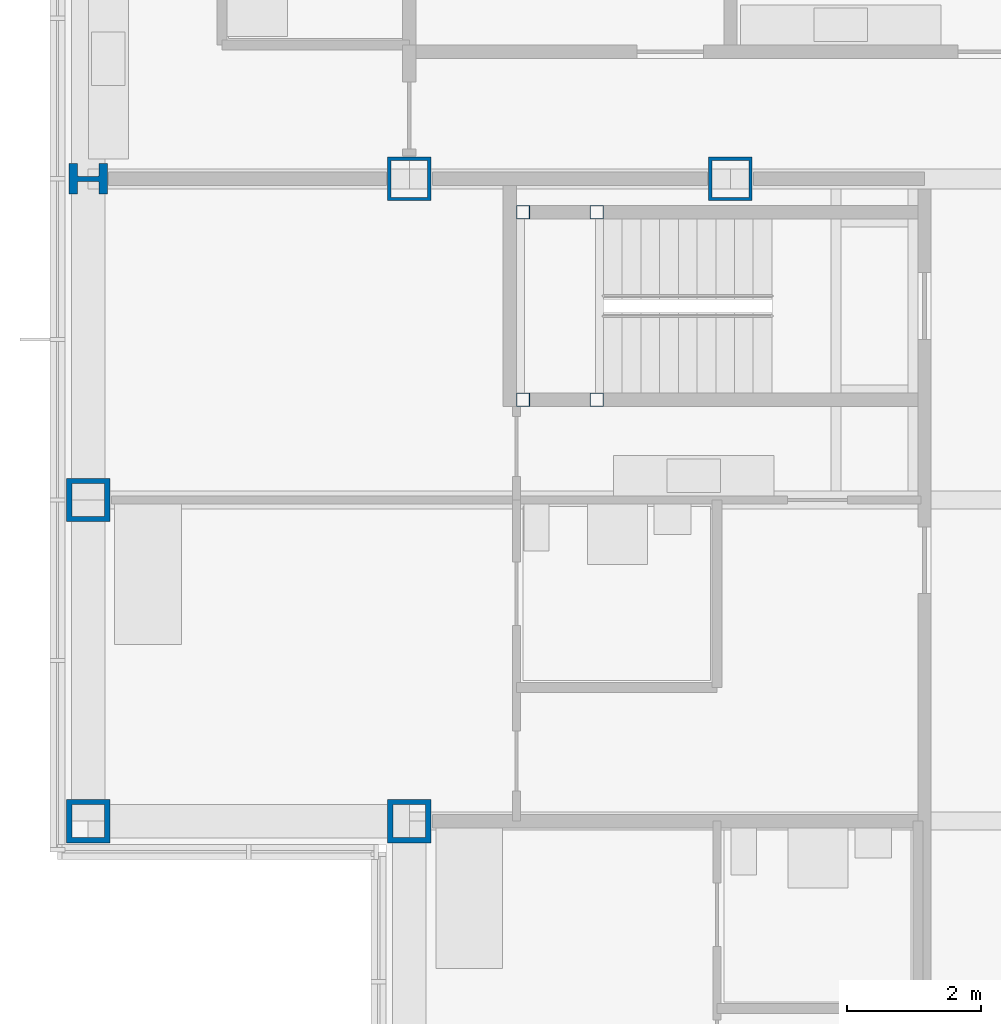
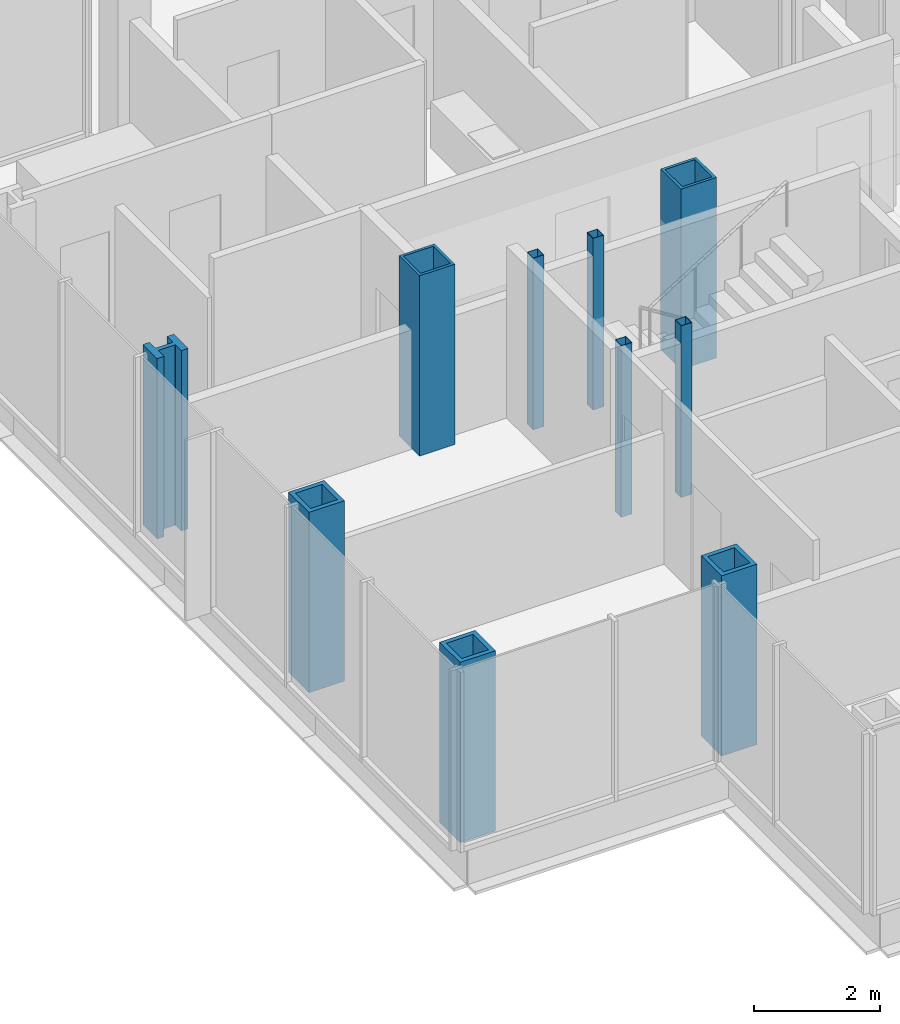
# One storey, part 3 of 20: 10 columns.
"""IFC4 building model written with IfcOpenShell, lengths in metres."""

from ifc_helpers import new_model, si_unit, direction, frame, origin, origin_2d, place, context, subcontext, project, spatial, hollow_rectangle, i_section, extrude, material, material_profile, profile_set, type_object, element, save


model = new_model("IFC4")

# Units and contexts
model_context = context("Model", 3, precision=1e-05, world=origin(), true_north=direction((0.0, 1.0)))
body_context = subcontext(model_context, "Body", "Model", "MODEL_VIEW")
ifc_project = project(units=[si_unit("LENGTHUNIT", "METRE"), si_unit("AREAUNIT", "SQUARE_METRE"), si_unit("VOLUMEUNIT", "CUBIC_METRE"), si_unit("PLANEANGLEUNIT", "RADIAN"), si_unit("MASSUNIT", "GRAM", prefix="KILO")], contexts=[model_context])

# Site, building, storey
site_placement = place(None, origin())
site = spatial("IfcSite", under=ifc_project, at=site_placement, CompositionType="ELEMENT")
building_placement = place(site_placement, origin())
building = spatial("IfcBuilding", under=site, at=building_placement, Name="Kvirike Care Tower", CompositionType="ELEMENT")
storey_placement = place(building_placement, frame((0.0, 0.0, 105.0)))
storey = spatial("IfcBuildingStorey", under=building, at=storey_placement, Name="L28", CompositionType="ELEMENT", Elevation=105.0)

# Columns
ifc_material_1 = material(Name="Steel S460", Category="steel")
ifc_material_profile_1 = material_profile(ifc_material_1, hollow_rectangle(XDim=0.64990234375, YDim=0.64990234375, WallThickness=0.050048828125, at=origin_2d()), Name="BX 650x650x50")
ifc_profile_set_1 = profile_set([ifc_material_profile_1], Name="Steel S460")
column_type_1 = type_object("IfcColumnType", Name="COLUMN BX 650x650x50", PredefinedType="COLUMN", material=ifc_profile_set_1)
for number, where, z_axis, x_axis, name in (
    (1, (4.800048828125, 43.199951171875, 0.0), (0.0, 0.0, 1.0), (0.0, 1.0, 0.0), "Column K4 L28"),
    (2, (9.60009765625, 43.199951171875, 0.0), (0.0, 0.0, 1.0), (0.0, 1.0, 0.0), "Column K5 L28"),
):
    element("IfcColumn", number, at=place(storey_placement, frame(where, z_axis=z_axis, x_axis=x_axis)), inside=storey, type_object=column_type_1, Name=name, PredefinedType="COLUMN", context=body_context, shape_type="SweptSolid", body=[
        extrude(hollow_rectangle(XDim=0.64990234375, YDim=0.64990234375, WallThickness=0.050048828125, at=origin_2d()), origin(), (0.0, 0.0, 1.0), 3.5),
    ])
ifc_material_2 = material(Name="Steel S460", Category="steel")
ifc_material_profile_2 = material_profile(ifc_material_2, hollow_rectangle(XDim=0.64990234375, YDim=0.64990234375, WallThickness=0.080078125, at=origin_2d()), Name="BX 650x650x80")
ifc_profile_set_2 = profile_set([ifc_material_profile_2], Name="Steel S460")
column_type_2 = type_object("IfcColumnType", Name="COLUMN BX 650x650x80", PredefinedType="COLUMN", material=ifc_profile_set_2)
for number, where, z_axis, x_axis, name in (
    (3, (0.0, 33.60009765625, 0.0), (0.0, 0.0, 1.0), (0.0, 1.0, 0.0), "Column H3 L28"),
    (4, (0.0, 38.39990234375, 0.0), (0.0, 0.0, 1.0), (1.0, 0.0, 0.0), "Column J3 L28"),
    (5, (4.800048828125, 33.60009765625, 0.0), (0.0, 0.0, 1.0), (0.0, 1.0, 0.0), "Column H4 L28"),
):
    element("IfcColumn", number, at=place(storey_placement, frame(where, z_axis=z_axis, x_axis=x_axis)), inside=storey, type_object=column_type_2, Name=name, PredefinedType="COLUMN", context=body_context, shape_type="SweptSolid", body=[
        extrude(hollow_rectangle(XDim=0.64990234375, YDim=0.64990234375, WallThickness=0.080078125, at=origin_2d()), origin(), (0.0, 0.0, 1.0), 3.5),
    ])
ifc_material_3 = material(Name="Steel S460", Category="steel")
ifc_material_profile_3 = material_profile(ifc_material_3, i_section(OverallWidth=0.4541015625, OverallDepth=0.569091796875, WebThickness=0.077880859375, FlangeThickness=0.125, FilletRadius=0.014892578125, at=origin_2d()), Name="HD 400x1086")
ifc_profile_set_3 = profile_set([ifc_material_profile_3], Name="Steel S460")
column_type_3 = type_object("IfcColumnType", Name="COLUMN HD 400x1086", PredefinedType="COLUMN", material=ifc_profile_set_3)
column_placement = place(storey_placement, frame((0.0, 43.199951171875, 0.0), z_axis=(0.0, 0.0, 1.0), x_axis=(0.0, 1.0, 0.0)))
element("IfcColumn", 6, at=column_placement, inside=storey, type_object=column_type_3, Name="Column K3 L28", PredefinedType="COLUMN", context=body_context, shape_type="SweptSolid", body=[
    extrude(i_section(OverallWidth=0.4541015625, OverallDepth=0.569091796875, WebThickness=0.077880859375, FlangeThickness=0.125, FilletRadius=0.014892578125, at=origin_2d()), origin(), (0.0, 0.0, 1.0), 3.5),
])
ifc_material_4 = material(Name="Steel S460", Category="steel")
ifc_material_profile_4 = material_profile(ifc_material_4, hollow_rectangle(XDim=0.199951171875, YDim=0.199951171875, WallThickness=0.008056640625, at=origin_2d()), Name="SHS 200x200x8")
ifc_profile_set_4 = profile_set([ifc_material_profile_4], Name="Steel S460")
column_type_4 = type_object("IfcColumnType", Name="STAIR POST SHS 200x200x8", PredefinedType="COLUMN", material=ifc_profile_set_4)
for number, where, z_axis, x_axis, name in (
    (7, (6.5, 42.699951171875, 0.0), (0.0, 0.0, 1.0), (1.0, 0.0, 0.0), "Stair 1 post 1 L28"),
    (8, (6.5, 39.89990234375, 0.0), (0.0, 0.0, 1.0), (1.0, 0.0, 0.0), "Stair 1 post 2 L28"),
    (9, (7.60009765625, 42.699951171875, 0.0), (0.0, 0.0, 1.0), (1.0, 0.0, 0.0), "Stair 1 post 3 L28"),
    (10, (7.60009765625, 39.89990234375, 0.0), (0.0, 0.0, 1.0), (1.0, 0.0, 0.0), "Stair 1 post 4 L28"),
):
    element("IfcColumn", number, at=place(storey_placement, frame(where, z_axis=z_axis, x_axis=x_axis)), inside=storey, type_object=column_type_4, Name=name, PredefinedType="COLUMN", context=body_context, shape_type="SweptSolid", body=[
        extrude(hollow_rectangle(XDim=0.199951171875, YDim=0.199951171875, WallThickness=0.008056640625, at=origin_2d()), origin(), (0.0, 0.0, 1.0), 3.330078125),
    ])

save(model, "model.ifc")
